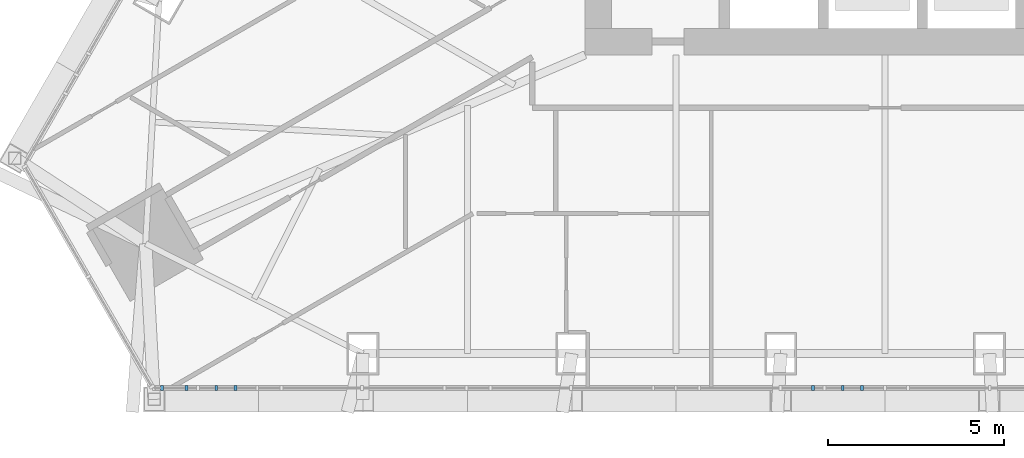
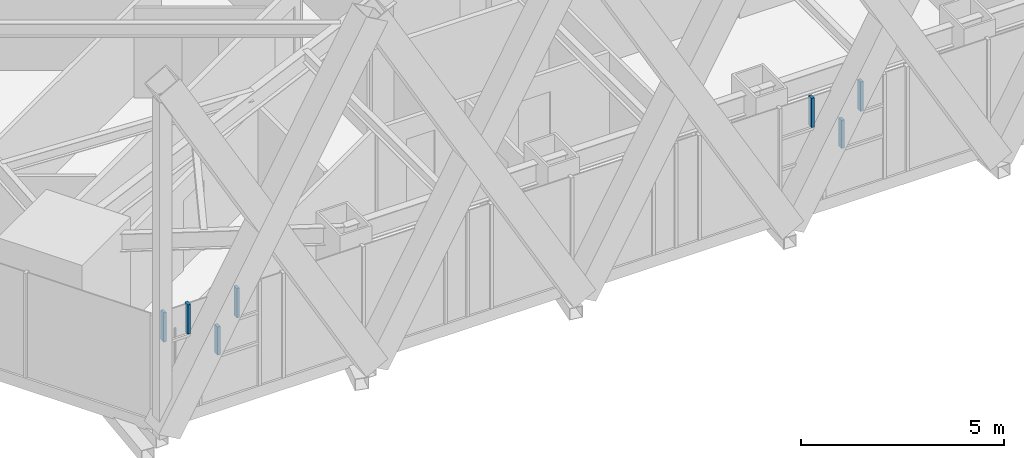
# One storey, part 10 of 23: 7 members, 1 element without a shape of its own.
"""IFC4 building model written with IfcOpenShell, lengths in metres."""

from ifc_helpers import new_model, si_unit, direction, frame, origin, origin_2d, place, context, subcontext, project, spatial, rectangle, extrude, material, layer, layer_set, material_profile, profile_set, type_object, element, aggregate, save


model = new_model("IFC4")

# Units and contexts
model_context = context("Model", 3, precision=1e-05, world=origin(), true_north=direction((0.0, 1.0)))
body_context = subcontext(model_context, "Body", "Model", "MODEL_VIEW")
ifc_project = project(units=[si_unit("LENGTHUNIT", "METRE"), si_unit("AREAUNIT", "SQUARE_METRE"), si_unit("VOLUMEUNIT", "CUBIC_METRE"), si_unit("PLANEANGLEUNIT", "RADIAN"), si_unit("MASSUNIT", "GRAM", prefix="KILO")], contexts=[model_context])

# Site, building, storey
site_placement = place(None, origin())
site = spatial("IfcSite", under=ifc_project, at=site_placement, CompositionType="ELEMENT")
building_placement = place(site_placement, origin())
building = spatial("IfcBuilding", under=site, at=building_placement, Name="Firuza Gate Tower and Library", CompositionType="ELEMENT")
storey_placement = place(building_placement, frame((0.0, 0.0, 312.60009765625)))
storey = spatial("IfcBuildingStorey", under=building, at=storey_placement, Name="L76", CompositionType="ELEMENT", Elevation=312.60009765625)

# Curtain wall, members
ifc_material_1 = material(Name="Aluminium 6063-T6", Category="aluminium")
ifc_layer = layer(ifc_material_1, 0.14990234375)
ifc_layer_set = layer_set([ifc_layer], Name="Unitised curtain wall, residences")
curtain_wall_type = type_object("IfcCurtainWallType", Name="Unitised curtain wall, residences", PredefinedType="NOTDEFINED", material=ifc_layer_set)
curtain_wall_placement = place(storey_placement, origin())
curtain_wall = element("IfcCurtainWall", 1, at=curtain_wall_placement, inside=storey, type_object=curtain_wall_type, Name="CW3 L76 S face", PredefinedType="NOTDEFINED")
ifc_material_2 = material(Name="Aluminium 6063-T6", Category="aluminium")
ifc_material_profile = material_profile(ifc_material_2, rectangle(XDim=0.14990234375, YDim=0.080078125, at=origin_2d()))
ifc_profile_set = profile_set([ifc_material_profile], Name="Aluminium 6063-T6")
member_type = type_object("IfcMemberType", Name="Curtain wall mullion 80x150", PredefinedType="MULLION", material=ifc_profile_set)
member_1_placement = place(storey_placement, frame((56.043212890625, 58.805419921875, 1.489990234375), z_axis=(0.0, 0.0, 1.0), x_axis=(0.0, 1.0, 0.0)))
member_1 = element("IfcMember", 2, at=member_1_placement, type_object=member_type, Name="Mullion", PredefinedType="MULLION", context=body_context, shape_type="SweptSolid", body=[
    extrude(rectangle(XDim=0.14990234375, YDim=0.080078125, at=origin_2d()), origin(), (0.0, 0.0, 1.0), 0.844970703125),
])
member_2_placement = place(storey_placement, frame((54.502685546875, 58.805419921875, 2.414794921875), z_axis=(0.0, 0.0, 1.0), x_axis=(0.0, 1.0, 0.0)))
member_2 = element("IfcMember", 3, at=member_2_placement, type_object=member_type, Name="Mullion", PredefinedType="MULLION", context=body_context, shape_type="SweptSolid", body=[
    extrude(rectangle(XDim=0.14990234375, YDim=0.080078125, at=origin_2d()), origin(), (0.0, 0.0, 1.0), 0.885009765625),
])
member_3_placement = place(storey_placement, frame((55.19482421875, 58.805419921875, 2.414794921875), z_axis=(0.0, 0.0, 1.0), x_axis=(0.0, 1.0, 0.0)))
member_3 = element("IfcMember", 4, at=member_3_placement, type_object=member_type, Name="Mullion", PredefinedType="MULLION", context=body_context, shape_type="SweptSolid", body=[
    extrude(rectangle(XDim=0.14990234375, YDim=0.080078125, at=origin_2d()), origin(), (0.0, 0.0, 1.0), 0.885009765625),
])
member_4_placement = place(storey_placement, frame((56.58740234375, 58.805419921875, 2.414794921875), z_axis=(0.0, 0.0, 1.0), x_axis=(0.0, 1.0, 0.0)))
member_4 = element("IfcMember", 5, at=member_4_placement, type_object=member_type, Name="Mullion", PredefinedType="MULLION", context=body_context, shape_type="SweptSolid", body=[
    extrude(rectangle(XDim=0.14990234375, YDim=0.080078125, at=origin_2d()), origin(), (0.0, 0.0, 1.0), 0.885009765625),
])
member_5_placement = place(storey_placement, frame((73.80322265625, 58.805419921875, 1.489990234375), z_axis=(0.0, 0.0, 1.0), x_axis=(0.0, 1.0, 0.0)))
member_5 = element("IfcMember", 6, at=member_5_placement, type_object=member_type, Name="Mullion", PredefinedType="MULLION", context=body_context, shape_type="SweptSolid", body=[
    extrude(rectangle(XDim=0.14990234375, YDim=0.080078125, at=origin_2d()), origin(), (0.0, 0.0, 1.0), 0.844970703125),
])
member_6_placement = place(storey_placement, frame((72.954833984375, 58.805419921875, 2.414794921875), z_axis=(0.0, 0.0, 1.0), x_axis=(0.0, 1.0, 0.0)))
member_6 = element("IfcMember", 7, at=member_6_placement, type_object=member_type, Name="Mullion", PredefinedType="MULLION", context=body_context, shape_type="SweptSolid", body=[
    extrude(rectangle(XDim=0.14990234375, YDim=0.080078125, at=origin_2d()), origin(), (0.0, 0.0, 1.0), 0.885009765625),
])
member_7_placement = place(storey_placement, frame((74.347412109375, 58.805419921875, 2.414794921875), z_axis=(0.0, 0.0, 1.0), x_axis=(0.0, 1.0, 0.0)))
member_7 = element("IfcMember", 8, at=member_7_placement, type_object=member_type, Name="Mullion", PredefinedType="MULLION", context=body_context, shape_type="SweptSolid", body=[
    extrude(rectangle(XDim=0.14990234375, YDim=0.080078125, at=origin_2d()), origin(), (0.0, 0.0, 1.0), 0.885009765625),
])
aggregate(curtain_wall, [member_1, member_2, member_3, member_4, member_5, member_6, member_7])

save(model, "model.ifc")
